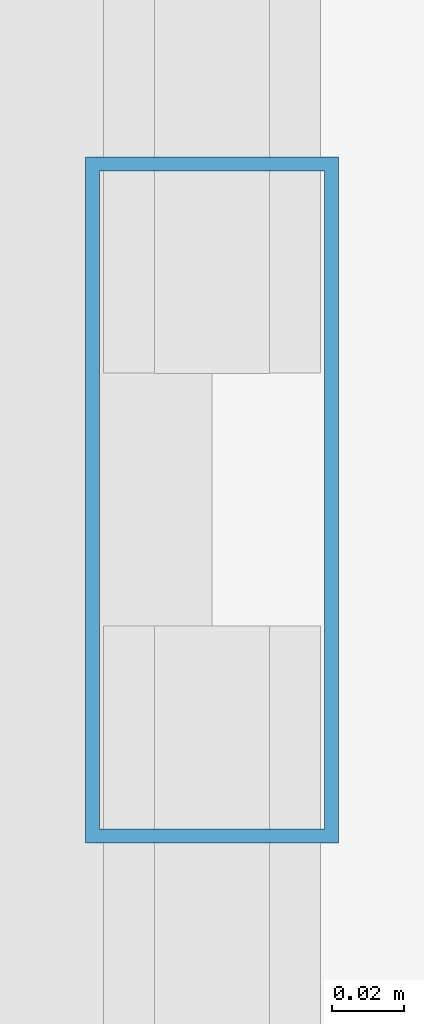
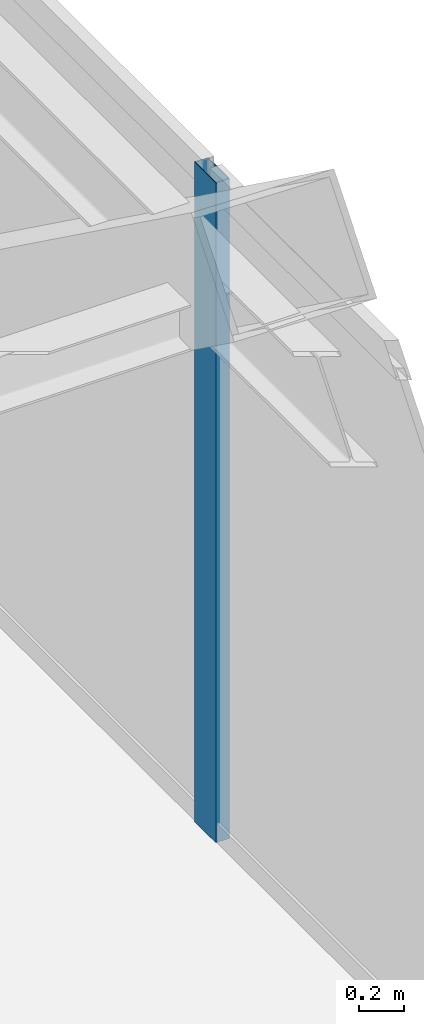
# One storey, part 21 of 37: 1 member, 1 element without a shape of its own.
"""IFC4 building model written with IfcOpenShell, lengths in metres."""

from ifc_helpers import new_model, si_unit, direction, frame, origin, origin_2d, place, context, subcontext, project, spatial, hollow_rectangle, extrude, source, transform, mapped, material, layer, layer_set, material_profile, profile_set, type_object, type_shapes, element, aggregate, save


model = new_model("IFC4")

# Units and contexts
model_context = context("Model", 3, precision=1e-05, world=origin(), true_north=direction((0.0, 1.0)))
body_context = subcontext(model_context, "Body", "Model", "MODEL_VIEW")
ifc_project = project(units=[si_unit("LENGTHUNIT", "METRE"), si_unit("AREAUNIT", "SQUARE_METRE"), si_unit("VOLUMEUNIT", "CUBIC_METRE"), si_unit("PLANEANGLEUNIT", "RADIAN"), si_unit("MASSUNIT", "GRAM", prefix="KILO")], contexts=[model_context])

# Site, building, storey
site_placement = place(None, origin())
site = spatial("IfcSite", under=ifc_project, at=site_placement, CompositionType="ELEMENT")
building_placement = place(site_placement, origin())
building = spatial("IfcBuilding", under=site, at=building_placement, Name="Varnel Quay Broadcast Tower", CompositionType="ELEMENT")
storey_placement = place(building_placement, frame((0.0, 0.0, 103.0)))
storey = spatial("IfcBuildingStorey", under=building, at=storey_placement, Name="L24", CompositionType="ELEMENT", Elevation=103.0)

# Curtain wall, member
ifc_material = material(Name="Anodised Bronze Aluminium 6063-T6", Category="aluminium")
ifc_layer = layer(ifc_material, 0.18994140625, Name="Anodised Bronze Aluminium 6063-T6")
ifc_layer_set = layer_set([ifc_layer], Name="Anodised Bronze Aluminium 6063-T6")
curtain_wall_type = type_object("IfcCurtainWallType", Name="CW_LowerTower", PredefinedType="NOTDEFINED", material=ifc_layer_set)
curtain_wall_placement = place(storey_placement, origin())
curtain_wall = element("IfcCurtainWall", 1, at=curtain_wall_placement, inside=storey, type_object=curtain_wall_type, Name="L24 East Unitised Curtain Wall", PredefinedType="NOTDEFINED")
ifc_material_profile = material_profile(ifc_material, hollow_rectangle(XDim=0.070068359375, YDim=0.18994140625, WallThickness=0.00390625, at=origin_2d()), Name="ALU70X190X4")
ifc_profile_set = profile_set([ifc_material_profile], Name="Anodised Bronze Aluminium 6063-T6")
member_type = type_object("IfcMemberType", Name="Mull_CWS-02", PredefinedType="MULLION", material=ifc_profile_set)
shared_shape = source(origin(), body_context, "Body", "SweptSolid", [
    extrude(hollow_rectangle(XDim=0.070068359375, YDim=0.18994140625, WallThickness=0.00390625, at=origin_2d()), origin(), (0.0, 0.0, 1.0), 3.550048828125),
])
type_shapes(member_type, [shared_shape])
member_placement = place(storey_placement, frame((63.35009765625, 31.39990234375, 0.0), z_axis=(0.0, 0.0, 1.0), x_axis=(-1.0, 0.0, 0.0)))
member = element("IfcMember", 2, at=member_placement, type_object=member_type, Name="CWS-02 mullion 3", PredefinedType="MULLION", context=body_context, shape_type="MappedRepresentation", body=[
    mapped(shared_shape, transform((0.0, 0.0, 0.0), x_axis=(1.0, 0.0, 0.0), y_axis=(0.0, 1.0, 0.0), z_axis=(0.0, 0.0, 1.0), scale=1.0)),
])
aggregate(curtain_wall, [member])

save(model, "model.ifc")
